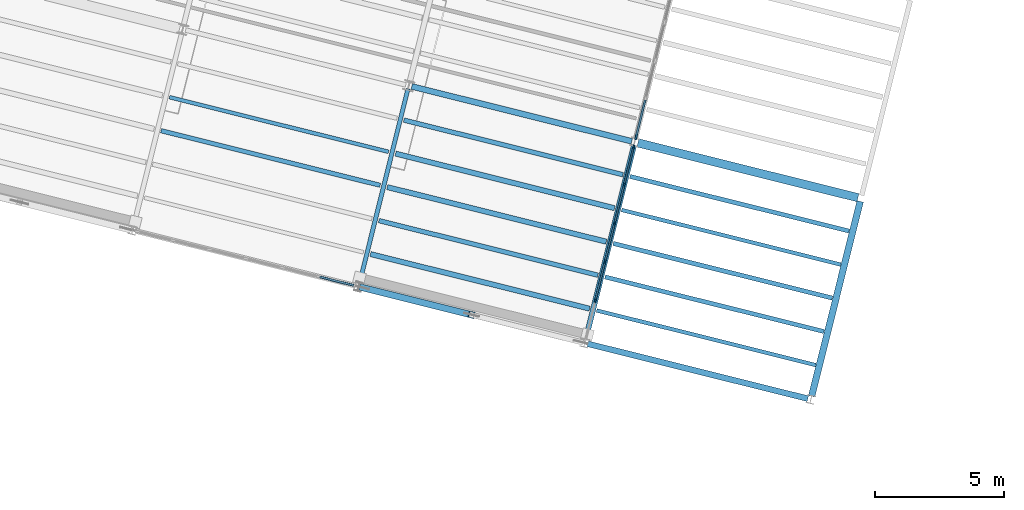
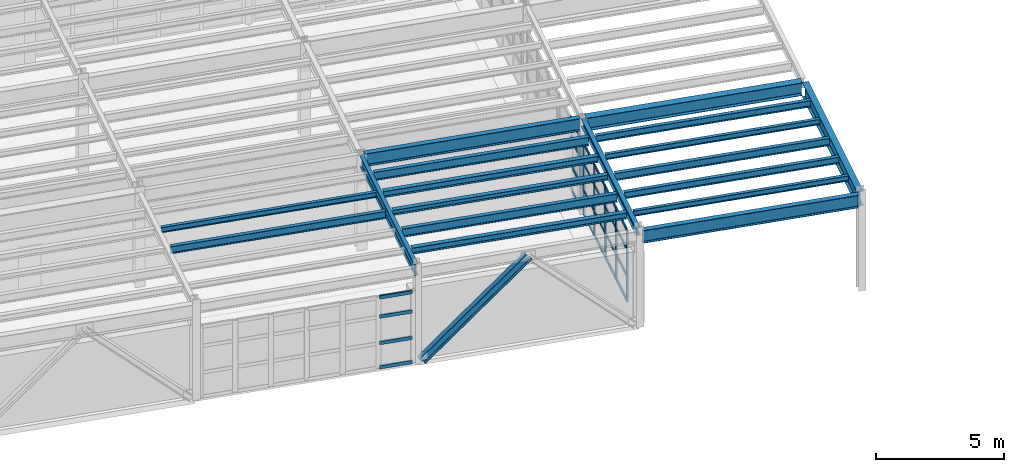
# One storey, part 29 of 102: 31 members, 18 beams, 3 elements without a shape of their own.
"""IFC4 building model written with IfcOpenShell, lengths in metres."""

from ifc_helpers import new_model, si_unit, direction, frame, origin, origin_2d, place, context, subcontext, project, spatial, rectangle, i_section, extrude, material, layer, layer_set, material_profile, profile_set, type_object, element, aggregate, save


model = new_model("IFC4")

# Units and contexts
model_context = context("Model", 3, precision=1e-05, world=origin(), true_north=direction((0.0, 1.0)))
body_context = subcontext(model_context, "Body", "Model", "MODEL_VIEW")
ifc_project = project(units=[si_unit("LENGTHUNIT", "METRE"), si_unit("AREAUNIT", "SQUARE_METRE"), si_unit("VOLUMEUNIT", "CUBIC_METRE"), si_unit("PLANEANGLEUNIT", "RADIAN"), si_unit("MASSUNIT", "GRAM", prefix="KILO")], contexts=[model_context])

# Site, building, storey
site_placement = place(None, origin())
site = spatial("IfcSite", under=ifc_project, at=site_placement, CompositionType="ELEMENT")
building_placement = place(site_placement, origin())
building = spatial("IfcBuilding", under=site, at=building_placement, Name="Vireo Bluff Cable Station", CompositionType="ELEMENT")
storey_placement = place(building_placement, frame((0.0, 0.0, 9.60009765625)))
storey = spatial("IfcBuildingStorey", under=building, at=storey_placement, Name="L02", CompositionType="ELEMENT", Elevation=9.60009765625)

# Beams
ifc_material_1 = material(Name="Steel ASTM A992 Gr. 50", Category="steel")
ifc_material_profile_1 = material_profile(ifc_material_1, i_section(OverallWidth=0.2041015625, OverallDepth=0.35009765625, WebThickness=0.008544921875, FlangeThickness=0.01513671875, FilletRadius=0.010009765625, at=origin_2d()), Name="W14X48")
ifc_profile_set_1 = profile_set([ifc_material_profile_1], Name="Steel ASTM A992 Gr. 50")
beam_type_1 = type_object("IfcBeamType", Name="BM-W14X48", PredefinedType="BEAM", material=ifc_profile_set_1)
beam_1_placement = place(storey_placement, frame((97.6923828125, 27.22998046875, 4.364990234375), z_axis=(0.241906346953, 0.970299602857, 0.0), x_axis=(-0.970299602857, 0.241906346953, 0.0)))
element("IfcBeam", 1, at=beam_1_placement, inside=storey, type_object=beam_type_1, Name="V1 L02 beam 184", PredefinedType="BEAM", context=body_context, shape_type="SweptSolid", body=[
    extrude(i_section(OverallWidth=0.2041015625, OverallDepth=0.35009765625, WebThickness=0.008544921875, FlangeThickness=0.01513671875, FilletRadius=0.010009765625, at=origin_2d()), origin(), (0.0, 0.0, 1.0), 7.760009765625),
])
ifc_material_profile_2 = material_profile(ifc_material_1, i_section(OverallWidth=0.166015625, OverallDepth=0.528076171875, WebThickness=0.009765625, FlangeThickness=0.013671875, FilletRadius=0.012939453125, at=origin_2d()), Name="W21X50")
ifc_profile_set_2 = profile_set([ifc_material_profile_2], Name="Steel ASTM A992 Gr. 50")
beam_type_2 = type_object("IfcBeamType", Name="BM-W21X50", PredefinedType="BEAM", material=ifc_profile_set_2)
beam_2_placement = place(storey_placement, frame((88.959716796875, 29.4072265625, 4.27587890625), z_axis=(0.241906346953, 0.970299602857, 0.0), x_axis=(-0.970299602857, 0.241906346953, 0.0)))
element("IfcBeam", 2, at=beam_2_placement, inside=storey, type_object=beam_type_2, Name="V1 L02 beam 181", PredefinedType="BEAM", context=body_context, shape_type="SweptSolid", body=[
    extrude(i_section(OverallWidth=0.166015625, OverallDepth=0.528076171875, WebThickness=0.009765625, FlangeThickness=0.013671875, FilletRadius=0.012939453125, at=origin_2d()), origin(), (0.0, 0.0, 1.0), 7.760009765625),
])

# Member
ifc_material_profile_3 = material_profile(ifc_material_1, i_section(OverallWidth=0.25390625, OverallDepth=0.35302734375, WebThickness=0.009521484375, FlangeThickness=0.016357421875, FilletRadius=0.011962890625, at=origin_2d()), Name="W14X61")
ifc_profile_set_3 = profile_set([ifc_material_profile_3], Name="Steel ASTM A992 Gr. 50")
member_type_1 = type_object("IfcMemberType", Name="BRC-06", PredefinedType="BRACE", material=ifc_profile_set_3)
member_1_placement = place(storey_placement, frame((89.0859375, 29.252197265625, 0.039794921875), z_axis=(0.702063519762, -0.175068135349, 0.690259344163), x_axis=(0.241953175614, 0.970287926757, 0.0)))
element("IfcMember", 3, at=member_1_placement, inside=storey, type_object=member_type_1, Name="V1 L02 concentric brace 11L", PredefinedType="BRACE", context=body_context, shape_type="SweptSolid", body=[
    extrude(i_section(OverallWidth=0.25390625, OverallDepth=0.35302734375, WebThickness=0.009521484375, FlangeThickness=0.016357421875, FilletRadius=0.011962890625, at=origin_2d()), origin(), (0.0, 0.0, 1.0), 5.998046875),
])

# Curtain wall, member
ifc_material_2 = material(Name="Anodized Aluminium 6063-T6", Category="aluminium")
ifc_layer_1 = layer(ifc_material_2, 0.179931640625, Name="Anodized Aluminium 6063-T6")
ifc_layer_set_1 = layer_set([ifc_layer_1], Name="Anodized Aluminium 6063-T6")
curtain_wall_type_1 = type_object("IfcCurtainWallType", Name="CW-UNIT-1650", PredefinedType="USERDEFINED", material=ifc_layer_set_1)
curtain_wall_1_placement = place(storey_placement, origin())
curtain_wall_1 = element("IfcCurtainWall", 4, at=curtain_wall_1_placement, inside=storey, type_object=curtain_wall_type_1, Name="V1 L02 east curtain wall CW-017", ObjectType="UNITISED CURTAIN WALL", PredefinedType="USERDEFINED")
ifc_material_profile_4 = material_profile(ifc_material_2, rectangle(XDim=0.074951171875, YDim=0.2099609375, at=origin_2d()), Name="ALU-M-75X210")
ifc_profile_set_4 = profile_set([ifc_material_profile_4], Name="Anodized Aluminium 6063-T6")
member_type_2 = type_object("IfcMemberType", Name="CWM-02", PredefinedType="MULLION", material=ifc_profile_set_4)
member_2_placement = place(storey_placement, frame((99.6484375, 35.07568359375, 0.0), z_axis=(0.0, 0.0, 1.0), x_axis=(0.970295732031, -0.241921872517, 0.0)))
member_2 = element("IfcMember", 5, at=member_2_placement, type_object=member_type_2, Name="CW-017 mullion 6", PredefinedType="MULLION", context=body_context, shape_type="SweptSolid", body=[
    extrude(rectangle(XDim=0.074951171875, YDim=0.2099609375, at=origin_2d()), origin(), (0.0, 0.0, 1.0), 3.39990234375),
])

# Curtain wall, members
ifc_layer_2 = layer(ifc_material_2, 0.179931640625, Name="Anodized Aluminium 6063-T6")
ifc_layer_set_2 = layer_set([ifc_layer_2], Name="Anodized Aluminium 6063-T6")
curtain_wall_type_2 = type_object("IfcCurtainWallType", Name="CW-UNIT-1400", PredefinedType="USERDEFINED", material=ifc_layer_set_2)
curtain_wall_2_placement = place(storey_placement, origin())
curtain_wall_2 = element("IfcCurtainWall", 6, at=curtain_wall_2_placement, inside=storey, type_object=curtain_wall_type_2, Name="V1 L02 east curtain wall CW-018", ObjectType="UNITISED CURTAIN WALL", PredefinedType="USERDEFINED")
ifc_material_profile_5 = material_profile(ifc_material_2, rectangle(XDim=0.06005859375, YDim=0.159912109375, at=origin_2d()), Name="ALU-M-60X160")
ifc_profile_set_5 = profile_set([ifc_material_profile_5], Name="Anodized Aluminium 6063-T6")
member_type_3 = type_object("IfcMemberType", Name="CWM-03", PredefinedType="MULLION", material=ifc_profile_set_5)
member_3_placement = place(storey_placement, frame((99.55078125, 34.683349609375, 0.0), z_axis=(0.0, 0.0, 1.0), x_axis=(0.970295732031, -0.241921872517, 0.0)))
member_3 = element("IfcMember", 7, at=member_3_placement, type_object=member_type_3, Name="CW-018 mullion 1", PredefinedType="MULLION", context=body_context, shape_type="SweptSolid", body=[
    extrude(rectangle(XDim=0.06005859375, YDim=0.159912109375, at=origin_2d()), origin(), (0.0, 0.0, 1.0), 3.39990234375),
])
member_4_placement = place(storey_placement, frame((99.18701171875, 33.224365234375, 0.0), z_axis=(0.0, 0.0, 1.0), x_axis=(0.970295732031, -0.241921872517, 0.0)))
member_4 = element("IfcMember", 8, at=member_4_placement, type_object=member_type_3, Name="CW-018 mullion 2", PredefinedType="MULLION", context=body_context, shape_type="SweptSolid", body=[
    extrude(rectangle(XDim=0.06005859375, YDim=0.159912109375, at=origin_2d()), origin(), (0.0, 0.0, 1.0), 3.39990234375),
])
member_5_placement = place(storey_placement, frame((98.81591796875, 31.736328125, 0.0), z_axis=(0.0, 0.0, 1.0), x_axis=(0.970295732031, -0.241921872517, 0.0)))
member_5 = element("IfcMember", 9, at=member_5_placement, type_object=member_type_3, Name="CW-018 mullion 3", PredefinedType="MULLION", context=body_context, shape_type="SweptSolid", body=[
    extrude(rectangle(XDim=0.06005859375, YDim=0.159912109375, at=origin_2d()), origin(), (0.0, 0.0, 1.0), 3.39990234375),
])
member_6_placement = place(storey_placement, frame((98.44482421875, 30.248291015625, 0.0), z_axis=(0.0, 0.0, 1.0), x_axis=(0.970295732031, -0.241921872517, 0.0)))
member_6 = element("IfcMember", 10, at=member_6_placement, type_object=member_type_3, Name="CW-018 mullion 4", PredefinedType="MULLION", context=body_context, shape_type="SweptSolid", body=[
    extrude(rectangle(XDim=0.06005859375, YDim=0.159912109375, at=origin_2d()), origin(), (0.0, 0.0, 1.0), 3.39990234375),
])
member_7_placement = place(storey_placement, frame((98.073974609375, 28.76025390625, 0.0), z_axis=(0.0, 0.0, 1.0), x_axis=(0.970295732031, -0.241921872517, 0.0)))
member_7 = element("IfcMember", 11, at=member_7_placement, type_object=member_type_3, Name="CW-018 mullion 5", PredefinedType="MULLION", context=body_context, shape_type="SweptSolid", body=[
    extrude(rectangle(XDim=0.06005859375, YDim=0.159912109375, at=origin_2d()), origin(), (0.0, 0.0, 1.0), 3.39990234375),
])

curtain_wall_3_placement = place(storey_placement, origin())
curtain_wall_3 = element("IfcCurtainWall", 12, at=curtain_wall_3_placement, inside=storey, type_object=curtain_wall_type_2, Name="V1 L02 south curtain wall CW-009", ObjectType="UNITISED CURTAIN WALL", PredefinedType="USERDEFINED")
ifc_material_profile_6 = material_profile(ifc_material_2, rectangle(XDim=0.074951171875, YDim=0.159912109375, at=origin_2d()), Name="ALU-T-75X160")
ifc_profile_set_6 = profile_set([ifc_material_profile_6], Name="Anodized Aluminium 6063-T6")
member_type_4 = type_object("IfcMemberType", Name="CWT-02", PredefinedType="USERDEFINED", material=ifc_profile_set_6)
member_8_placement = place(storey_placement, frame((88.732666015625, 29.340087890625, 0.037353515625), z_axis=(-0.97028167903, 0.241978229061, 0.0), x_axis=(-0.241978229061, -0.97028167903, 0.0)))
member_8 = element("IfcMember", 13, at=member_8_placement, type_object=member_type_4, Name="CW-009 transom 1.1", ObjectType="TRANSOM", PredefinedType="USERDEFINED", context=body_context, shape_type="SweptSolid", body=[
    extrude(rectangle(XDim=0.074951171875, YDim=0.159912109375, at=origin_2d()), origin(), (0.0, 0.0, 1.0), 1.33984375),
])
member_9_placement = place(storey_placement, frame((88.732666015625, 29.340087890625, 1.18994140625), z_axis=(-0.97028167903, 0.241978229061, 0.0), x_axis=(-0.241978229061, -0.97028167903, 0.0)))
member_9 = element("IfcMember", 14, at=member_9_placement, type_object=member_type_4, Name="CW-009 transom 1.2", ObjectType="TRANSOM", PredefinedType="USERDEFINED", context=body_context, shape_type="SweptSolid", body=[
    extrude(rectangle(XDim=0.074951171875, YDim=0.159912109375, at=origin_2d()), origin(), (0.0, 0.0, 1.0), 1.33984375),
])
member_10_placement = place(storey_placement, frame((88.732666015625, 29.340087890625, 2.447998046875), z_axis=(-0.97028167903, 0.241978229061, 0.0), x_axis=(-0.241978229061, -0.97028167903, 0.0)))
member_10 = element("IfcMember", 15, at=member_10_placement, type_object=member_type_4, Name="CW-009 transom 1.3", ObjectType="TRANSOM", PredefinedType="USERDEFINED", context=body_context, shape_type="SweptSolid", body=[
    extrude(rectangle(XDim=0.074951171875, YDim=0.159912109375, at=origin_2d()), origin(), (0.0, 0.0, 1.0), 1.33984375),
])
member_11_placement = place(storey_placement, frame((88.732666015625, 29.340087890625, 3.3623046875), z_axis=(-0.97028167903, 0.241978229061, 0.0), x_axis=(-0.241978229061, -0.97028167903, 0.0)))
member_11 = element("IfcMember", 16, at=member_11_placement, type_object=member_type_4, Name="CW-009 transom 1.4", ObjectType="TRANSOM", PredefinedType="USERDEFINED", context=body_context, shape_type="SweptSolid", body=[
    extrude(rectangle(XDim=0.074951171875, YDim=0.159912109375, at=origin_2d()), origin(), (0.0, 0.0, 1.0), 1.33984375),
])
aggregate(curtain_wall_3, [member_8, member_9, member_10, member_11])

# Member
member_12_placement = place(storey_placement, frame((100.00146484375, 36.490966796875, 0.037353515625), z_axis=(-0.242050543743, -0.970263641632, 0.0), x_axis=(0.970263641632, -0.242050543743, 0.0)))
member_12 = element("IfcMember", 17, at=member_12_placement, type_object=member_type_4, Name="CW-017 transom 5.1", ObjectType="TRANSOM", PredefinedType="USERDEFINED", context=body_context, shape_type="SweptSolid", body=[
    extrude(rectangle(XDim=0.074951171875, YDim=0.159912109375, at=origin_2d()), origin(), (0.0, 0.0, 1.0), 1.421142578125),
])

member_13_placement = place(storey_placement, frame((100.00146484375, 36.490966796875, 1.18994140625), z_axis=(-0.242050543743, -0.970263641632, 0.0), x_axis=(0.970263641632, -0.242050543743, 0.0)))
member_13 = element("IfcMember", 18, at=member_13_placement, type_object=member_type_4, Name="CW-017 transom 5.2", ObjectType="TRANSOM", PredefinedType="USERDEFINED", context=body_context, shape_type="SweptSolid", body=[
    extrude(rectangle(XDim=0.074951171875, YDim=0.159912109375, at=origin_2d()), origin(), (0.0, 0.0, 1.0), 1.421142578125),
])

member_14_placement = place(storey_placement, frame((100.00146484375, 36.490966796875, 2.447998046875), z_axis=(-0.242050543743, -0.970263641632, 0.0), x_axis=(0.970263641632, -0.242050543743, 0.0)))
member_14 = element("IfcMember", 19, at=member_14_placement, type_object=member_type_4, Name="CW-017 transom 5.3", ObjectType="TRANSOM", PredefinedType="USERDEFINED", context=body_context, shape_type="SweptSolid", body=[
    extrude(rectangle(XDim=0.074951171875, YDim=0.159912109375, at=origin_2d()), origin(), (0.0, 0.0, 1.0), 1.421142578125),
])

member_15_placement = place(storey_placement, frame((100.00146484375, 36.490966796875, 3.3623046875), z_axis=(-0.242050543743, -0.970263641632, 0.0), x_axis=(0.970263641632, -0.242050543743, 0.0)))
member_15 = element("IfcMember", 20, at=member_15_placement, type_object=member_type_4, Name="CW-017 transom 5.4", ObjectType="TRANSOM", PredefinedType="USERDEFINED", context=body_context, shape_type="SweptSolid", body=[
    extrude(rectangle(XDim=0.074951171875, YDim=0.159912109375, at=origin_2d()), origin(), (0.0, 0.0, 1.0), 1.421142578125),
])

aggregate(curtain_wall_1, [member_2, member_12, member_13, member_14, member_15])

ifc_material_profile_7 = material_profile(ifc_material_2, rectangle(XDim=0.06005859375, YDim=0.1201171875, at=origin_2d()), Name="ALU-T-60X120")
ifc_profile_set_7 = profile_set([ifc_material_profile_7], Name="Anodized Aluminium 6063-T6")
member_type_5 = type_object("IfcMemberType", Name="CWT-03", PredefinedType="USERDEFINED", material=ifc_profile_set_7)
member_16_placement = place(storey_placement, frame((99.54345703125, 34.654052734375, 0.02978515625), z_axis=(-0.242018266188, -0.970271693306, 0.0), x_axis=(0.970271693306, -0.242018266188, 0.0)))
member_16 = element("IfcMember", 21, at=member_16_placement, type_object=member_type_5, Name="CW-018 transom 1.1", ObjectType="TRANSOM", PredefinedType="USERDEFINED", context=body_context, shape_type="SweptSolid", body=[
    extrude(rectangle(XDim=0.06005859375, YDim=0.1201171875, at=origin_2d()), origin(), (0.0, 0.0, 1.0), 1.443603515625),
])

member_17_placement = place(storey_placement, frame((99.54345703125, 34.654052734375, 1.18994140625), z_axis=(-0.242018266188, -0.970271693306, 0.0), x_axis=(0.970271693306, -0.242018266188, 0.0)))
member_17 = element("IfcMember", 22, at=member_17_placement, type_object=member_type_5, Name="CW-018 transom 1.2", ObjectType="TRANSOM", PredefinedType="USERDEFINED", context=body_context, shape_type="SweptSolid", body=[
    extrude(rectangle(XDim=0.06005859375, YDim=0.1201171875, at=origin_2d()), origin(), (0.0, 0.0, 1.0), 1.443603515625),
])

member_18_placement = place(storey_placement, frame((99.54345703125, 34.654052734375, 2.447998046875), z_axis=(-0.242018266188, -0.970271693306, 0.0), x_axis=(0.970271693306, -0.242018266188, 0.0)))
member_18 = element("IfcMember", 23, at=member_18_placement, type_object=member_type_5, Name="CW-018 transom 1.3", ObjectType="TRANSOM", PredefinedType="USERDEFINED", context=body_context, shape_type="SweptSolid", body=[
    extrude(rectangle(XDim=0.06005859375, YDim=0.1201171875, at=origin_2d()), origin(), (0.0, 0.0, 1.0), 1.443603515625),
])

member_19_placement = place(storey_placement, frame((99.54345703125, 34.654052734375, 3.369873046875), z_axis=(-0.242018266188, -0.970271693306, 0.0), x_axis=(0.970271693306, -0.242018266188, 0.0)))
member_19 = element("IfcMember", 24, at=member_19_placement, type_object=member_type_5, Name="CW-018 transom 1.4", ObjectType="TRANSOM", PredefinedType="USERDEFINED", context=body_context, shape_type="SweptSolid", body=[
    extrude(rectangle(XDim=0.06005859375, YDim=0.1201171875, at=origin_2d()), origin(), (0.0, 0.0, 1.0), 1.443603515625),
])

member_20_placement = place(storey_placement, frame((99.1796875, 33.1953125, 0.02978515625), z_axis=(-0.241872902969, -0.970307940197, 0.0), x_axis=(0.970307940197, -0.241872902969, 0.0)))
member_20 = element("IfcMember", 25, at=member_20_placement, type_object=member_type_5, Name="CW-018 transom 2.1", ObjectType="TRANSOM", PredefinedType="USERDEFINED", context=body_context, shape_type="SweptSolid", body=[
    extrude(rectangle(XDim=0.06005859375, YDim=0.1201171875, at=origin_2d()), origin(), (0.0, 0.0, 1.0), 1.4736328125),
])

member_21_placement = place(storey_placement, frame((99.1796875, 33.1953125, 1.18994140625), z_axis=(-0.241872902969, -0.970307940197, 0.0), x_axis=(0.970307940197, -0.241872902969, 0.0)))
member_21 = element("IfcMember", 26, at=member_21_placement, type_object=member_type_5, Name="CW-018 transom 2.2", ObjectType="TRANSOM", PredefinedType="USERDEFINED", context=body_context, shape_type="SweptSolid", body=[
    extrude(rectangle(XDim=0.06005859375, YDim=0.1201171875, at=origin_2d()), origin(), (0.0, 0.0, 1.0), 1.4736328125),
])

member_22_placement = place(storey_placement, frame((99.1796875, 33.1953125, 2.447998046875), z_axis=(-0.241872902969, -0.970307940197, 0.0), x_axis=(0.970307940197, -0.241872902969, 0.0)))
member_22 = element("IfcMember", 27, at=member_22_placement, type_object=member_type_5, Name="CW-018 transom 2.3", ObjectType="TRANSOM", PredefinedType="USERDEFINED", context=body_context, shape_type="SweptSolid", body=[
    extrude(rectangle(XDim=0.06005859375, YDim=0.1201171875, at=origin_2d()), origin(), (0.0, 0.0, 1.0), 1.4736328125),
])

member_23_placement = place(storey_placement, frame((99.1796875, 33.1953125, 3.369873046875), z_axis=(-0.241872902969, -0.970307940197, 0.0), x_axis=(0.970307940197, -0.241872902969, 0.0)))
member_23 = element("IfcMember", 28, at=member_23_placement, type_object=member_type_5, Name="CW-018 transom 2.4", ObjectType="TRANSOM", PredefinedType="USERDEFINED", context=body_context, shape_type="SweptSolid", body=[
    extrude(rectangle(XDim=0.06005859375, YDim=0.1201171875, at=origin_2d()), origin(), (0.0, 0.0, 1.0), 1.4736328125),
])

member_24_placement = place(storey_placement, frame((98.80859375, 31.707275390625, 0.02978515625), z_axis=(-0.241872902969, -0.970307940197, 0.0), x_axis=(0.970307940197, -0.241872902969, 0.0)))
member_24 = element("IfcMember", 29, at=member_24_placement, type_object=member_type_5, Name="CW-018 transom 3.1", ObjectType="TRANSOM", PredefinedType="USERDEFINED", context=body_context, shape_type="SweptSolid", body=[
    extrude(rectangle(XDim=0.06005859375, YDim=0.1201171875, at=origin_2d()), origin(), (0.0, 0.0, 1.0), 1.4736328125),
])

member_25_placement = place(storey_placement, frame((98.80859375, 31.707275390625, 1.18994140625), z_axis=(-0.241872902969, -0.970307940197, 0.0), x_axis=(0.970307940197, -0.241872902969, 0.0)))
member_25 = element("IfcMember", 30, at=member_25_placement, type_object=member_type_5, Name="CW-018 transom 3.2", ObjectType="TRANSOM", PredefinedType="USERDEFINED", context=body_context, shape_type="SweptSolid", body=[
    extrude(rectangle(XDim=0.06005859375, YDim=0.1201171875, at=origin_2d()), origin(), (0.0, 0.0, 1.0), 1.4736328125),
])

member_26_placement = place(storey_placement, frame((98.80859375, 31.707275390625, 2.447998046875), z_axis=(-0.241872902969, -0.970307940197, 0.0), x_axis=(0.970307940197, -0.241872902969, 0.0)))
member_26 = element("IfcMember", 31, at=member_26_placement, type_object=member_type_5, Name="CW-018 transom 3.3", ObjectType="TRANSOM", PredefinedType="USERDEFINED", context=body_context, shape_type="SweptSolid", body=[
    extrude(rectangle(XDim=0.06005859375, YDim=0.1201171875, at=origin_2d()), origin(), (0.0, 0.0, 1.0), 1.4736328125),
])

member_27_placement = place(storey_placement, frame((98.80859375, 31.707275390625, 3.369873046875), z_axis=(-0.241872902969, -0.970307940197, 0.0), x_axis=(0.970307940197, -0.241872902969, 0.0)))
member_27 = element("IfcMember", 32, at=member_27_placement, type_object=member_type_5, Name="CW-018 transom 3.4", ObjectType="TRANSOM", PredefinedType="USERDEFINED", context=body_context, shape_type="SweptSolid", body=[
    extrude(rectangle(XDim=0.06005859375, YDim=0.1201171875, at=origin_2d()), origin(), (0.0, 0.0, 1.0), 1.4736328125),
])

member_28_placement = place(storey_placement, frame((98.437744140625, 30.21923828125, 0.02978515625), z_axis=(-0.242028868067, -0.970269048781, 0.0), x_axis=(0.970269048781, -0.242028868067, 0.0)))
member_28 = element("IfcMember", 33, at=member_28_placement, type_object=member_type_5, Name="CW-018 transom 4.1", ObjectType="TRANSOM", PredefinedType="USERDEFINED", context=body_context, shape_type="SweptSolid", body=[
    extrude(rectangle(XDim=0.06005859375, YDim=0.1201171875, at=origin_2d()), origin(), (0.0, 0.0, 1.0), 1.4736328125),
])

member_29_placement = place(storey_placement, frame((98.437744140625, 30.21923828125, 1.18994140625), z_axis=(-0.242028868067, -0.970269048781, 0.0), x_axis=(0.970269048781, -0.242028868067, 0.0)))
member_29 = element("IfcMember", 34, at=member_29_placement, type_object=member_type_5, Name="CW-018 transom 4.2", ObjectType="TRANSOM", PredefinedType="USERDEFINED", context=body_context, shape_type="SweptSolid", body=[
    extrude(rectangle(XDim=0.06005859375, YDim=0.1201171875, at=origin_2d()), origin(), (0.0, 0.0, 1.0), 1.4736328125),
])

member_30_placement = place(storey_placement, frame((98.437744140625, 30.21923828125, 2.447998046875), z_axis=(-0.242028868067, -0.970269048781, 0.0), x_axis=(0.970269048781, -0.242028868067, 0.0)))
member_30 = element("IfcMember", 35, at=member_30_placement, type_object=member_type_5, Name="CW-018 transom 4.3", ObjectType="TRANSOM", PredefinedType="USERDEFINED", context=body_context, shape_type="SweptSolid", body=[
    extrude(rectangle(XDim=0.06005859375, YDim=0.1201171875, at=origin_2d()), origin(), (0.0, 0.0, 1.0), 1.4736328125),
])

member_31_placement = place(storey_placement, frame((98.437744140625, 30.21923828125, 3.369873046875), z_axis=(-0.242028868067, -0.970269048781, 0.0), x_axis=(0.970269048781, -0.242028868067, 0.0)))
member_31 = element("IfcMember", 36, at=member_31_placement, type_object=member_type_5, Name="CW-018 transom 4.4", ObjectType="TRANSOM", PredefinedType="USERDEFINED", context=body_context, shape_type="SweptSolid", body=[
    extrude(rectangle(XDim=0.06005859375, YDim=0.1201171875, at=origin_2d()), origin(), (0.0, 0.0, 1.0), 1.4736328125),
])

aggregate(curtain_wall_2, [member_3, member_4, member_5, member_6, member_7, member_16, member_17, member_18, member_19, member_20, member_21, member_22, member_23, member_24, member_25, member_26, member_27, member_28, member_29, member_30, member_31])

# Beams
ifc_material_profile_8 = material_profile(ifc_material_1, i_section(OverallWidth=0.324951171875, OverallDepth=0.612060546875, WebThickness=0.0126953125, FlangeThickness=0.01904296875, FilletRadius=0.012939453125, at=origin_2d()), Name="W24X104")
ifc_profile_set_8 = profile_set([ifc_material_profile_8], Name="Steel ASTM A992 Gr. 50")
beam_type_3 = type_object("IfcBeamType", Name="GIR-W24X104", PredefinedType="USERDEFINED", material=ifc_profile_set_8)
beam_3_placement = place(storey_placement, frame((99.715087890625, 34.846923828125, 4.23388671875), z_axis=(0.970291502693, -0.241938834838, 0.0), x_axis=(0.241938834838, 0.970291502693, 0.0)))
element("IfcBeam", 37, at=beam_3_placement, inside=storey, type_object=beam_type_3, Name="V1 L02 girder 156", ObjectType="GIRDER", PredefinedType="USERDEFINED", context=body_context, shape_type="SweptSolid", body=[
    extrude(i_section(OverallWidth=0.324951171875, OverallDepth=0.612060546875, WebThickness=0.0126953125, FlangeThickness=0.01904296875, FilletRadius=0.012939453125, at=origin_2d()), origin(), (0.0, 0.0, 1.0), 8.760009765625),
])
ifc_material_profile_9 = material_profile(ifc_material_1, i_section(OverallWidth=0.22802734375, OverallDepth=0.60693359375, WebThickness=0.01123046875, FlangeThickness=0.017333984375, FilletRadius=0.012939453125, at=origin_2d()), Name="W24X76")
ifc_profile_set_9 = profile_set([ifc_material_profile_9], Name="Steel ASTM A992 Gr. 50")
beam_type_4 = type_object("IfcBeamType", Name="GIR-W24X76", PredefinedType="USERDEFINED", material=ifc_profile_set_9)
beam_4_placement = place(storey_placement, frame((90.982421875, 37.024169921875, 4.236328125), z_axis=(0.970298044881, -0.241912595995, 0.0), x_axis=(0.241912595995, 0.970298044881, 0.0)))
element("IfcBeam", 38, at=beam_4_placement, inside=storey, type_object=beam_type_4, Name="V1 L02 girder 155", ObjectType="GIRDER", PredefinedType="USERDEFINED", context=body_context, shape_type="SweptSolid", body=[
    extrude(i_section(OverallWidth=0.22802734375, OverallDepth=0.60693359375, WebThickness=0.01123046875, FlangeThickness=0.017333984375, FilletRadius=0.012939453125, at=origin_2d()), origin(), (0.0, 0.0, 1.0), 8.760009765625),
])
ifc_material_profile_10 = material_profile(ifc_material_1, i_section(OverallWidth=0.14599609375, OverallDepth=0.259033203125, WebThickness=0.006103515625, FlangeThickness=0.009033203125, FilletRadius=0.009033203125, at=origin_2d()), Name="W10X22")
ifc_profile_set_10 = profile_set([ifc_material_profile_10], Name="Steel ASTM A992 Gr. 50")
beam_type_5 = type_object("IfcBeamType", Name="JST-W10X22", PredefinedType="JOIST", material=ifc_profile_set_10)
for number, where, z_axis, x_axis, name in (
    (39, (81.6240234375, 36.609130859375, 4.410400390625), (0.970293828661, -0.24192950639, 0.0), (0.24192950639, 0.970293828661, 0.0), "V1 L02 composite joist 230"),
    (40, (98.121826171875, 28.373291015625, 4.410400390625), (0.970300400641, -0.241903146974, 0.0), (0.241903146974, 0.970300400641, 0.0), "V1 L02 composite joist 257"),
    (41, (99.08935546875, 32.254638671875, 4.410400390625), (0.970293828661, -0.24192950639, 0.0), (0.24192950639, 0.970293828661, 0.0), "V1 L02 composite joist 260"),
):
    element("IfcBeam", number, at=place(storey_placement, frame(where, z_axis=z_axis, x_axis=x_axis)), inside=storey, type_object=beam_type_5, Name=name, PredefinedType="JOIST", context=body_context, shape_type="SweptSolid", body=[
        extrude(i_section(OverallWidth=0.14599609375, OverallDepth=0.259033203125, WebThickness=0.006103515625, FlangeThickness=0.009033203125, FilletRadius=0.009033203125, at=origin_2d()), origin(), (0.0, 0.0, 1.0), 8.719970703125),
    ])
ifc_material_profile_11 = material_profile(ifc_material_1, i_section(OverallWidth=0.201904296875, OverallDepth=0.2470703125, WebThickness=0.00732421875, FlangeThickness=0.010986328125, FilletRadius=0.009033203125, at=origin_2d()), Name="W10X33")
ifc_profile_set_11 = profile_set([ifc_material_profile_11], Name="Steel ASTM A992 Gr. 50")
beam_type_6 = type_object("IfcBeamType", Name="JST-W10X33", PredefinedType="JOIST", material=ifc_profile_set_11)
beam_5_placement = place(storey_placement, frame((90.0341796875, 33.13818359375, 4.41650390625), z_axis=(0.970293828661, -0.24192950639, 0.0), x_axis=(0.24192950639, 0.970293828661, 0.0)))
element("IfcBeam", 42, at=beam_5_placement, inside=storey, type_object=beam_type_6, Name="V1 L02 composite joist 244", PredefinedType="JOIST", context=body_context, shape_type="SweptSolid", body=[
    extrude(i_section(OverallWidth=0.201904296875, OverallDepth=0.2470703125, WebThickness=0.00732421875, FlangeThickness=0.010986328125, FilletRadius=0.009033203125, at=origin_2d()), origin(), (0.0, 0.0, 1.0), 8.719970703125),
])
ifc_material_profile_12 = material_profile(ifc_material_1, i_section(OverallWidth=0.1650390625, OverallDepth=0.31005859375, WebThickness=0.005859375, FlangeThickness=0.009765625, FilletRadius=0.010009765625, at=origin_2d()), Name="W12X26")
ifc_profile_set_12 = profile_set([ifc_material_profile_12], Name="Steel ASTM A992 Gr. 50")
beam_type_7 = type_object("IfcBeamType", Name="JST-W12X26", PredefinedType="JOIST", material=ifc_profile_set_12)
beam_6_placement = place(storey_placement, frame((98.4443359375, 29.6669921875, 4.385009765625), z_axis=(0.970300400641, -0.241903146974, 0.0), x_axis=(0.241903146974, 0.970300400641, 0.0)))
element("IfcBeam", 43, at=beam_6_placement, inside=storey, type_object=beam_type_7, Name="V1 L02 composite joist 258", PredefinedType="JOIST", context=body_context, shape_type="SweptSolid", body=[
    extrude(i_section(OverallWidth=0.1650390625, OverallDepth=0.31005859375, WebThickness=0.005859375, FlangeThickness=0.009765625, FilletRadius=0.010009765625, at=origin_2d()), origin(), (0.0, 0.0, 1.0), 8.719970703125),
])
beam_7_placement = place(storey_placement, frame((99.411865234375, 33.54833984375, 4.385009765625), z_axis=(0.970295467306, -0.24192293427, 0.0), x_axis=(0.24192293427, 0.970295467306, 0.0)))
element("IfcBeam", 44, at=beam_7_placement, inside=storey, type_object=beam_type_7, Name="V1 L02 composite joist 261", PredefinedType="JOIST", context=body_context, shape_type="SweptSolid", body=[
    extrude(i_section(OverallWidth=0.1650390625, OverallDepth=0.31005859375, WebThickness=0.005859375, FlangeThickness=0.009765625, FilletRadius=0.010009765625, at=origin_2d()), origin(), (0.0, 0.0, 1.0), 8.72021484375),
])
ifc_material_profile_13 = material_profile(ifc_material_1, i_section(OverallWidth=0.202880859375, OverallDepth=0.302978515625, WebThickness=0.007568359375, FlangeThickness=0.01318359375, FilletRadius=0.010009765625, at=origin_2d()), Name="W12X40")
ifc_profile_set_13 = profile_set([ifc_material_profile_13], Name="Steel ASTM A992 Gr. 50")
beam_type_8 = type_object("IfcBeamType", Name="JST-W12X40", PredefinedType="JOIST", material=ifc_profile_set_13)
for number, where, z_axis, x_axis, name in (
    (45, (89.38916015625, 30.55078125, 4.388427734375), (0.970293828661, -0.24192950639, 0.0), (0.24192950639, 0.970293828661, 0.0), "V1 L02 composite joist 242"),
    (46, (90.356689453125, 34.431884765625, 4.388427734375), (0.970293828661, -0.24192950639, 0.0), (0.24192950639, 0.970293828661, 0.0), "V1 L02 composite joist 245"),
):
    element("IfcBeam", number, at=place(storey_placement, frame(where, z_axis=z_axis, x_axis=x_axis)), inside=storey, type_object=beam_type_8, Name=name, PredefinedType="JOIST", context=body_context, shape_type="SweptSolid", body=[
        extrude(i_section(OverallWidth=0.202880859375, OverallDepth=0.302978515625, WebThickness=0.007568359375, FlangeThickness=0.01318359375, FilletRadius=0.010009765625, at=origin_2d()), origin(), (0.0, 0.0, 1.0), 8.719970703125),
    ])
ifc_material_profile_14 = material_profile(ifc_material_1, i_section(OverallWidth=0.1708984375, OverallDepth=0.35107421875, WebThickness=0.0068359375, FlangeThickness=0.009765625, FilletRadius=0.010009765625, at=origin_2d()), Name="W14X30")
ifc_profile_set_14 = profile_set([ifc_material_profile_14], Name="Steel ASTM A992 Gr. 50")
beam_type_9 = type_object("IfcBeamType", Name="JST-W14X30", PredefinedType="JOIST", material=ifc_profile_set_14)
for number, where, z_axis, x_axis, name in (
    (47, (81.301513671875, 35.3154296875, 4.364501953125), (0.970293828661, -0.24192950639, 0.0), (0.24192950639, 0.970293828661, 0.0), "V1 L02 composite joist 229"),
    (48, (98.766845703125, 30.9609375, 4.364501953125), (0.970293828661, -0.24192950639, 0.0), (0.24192950639, 0.970293828661, 0.0), "V1 L02 composite joist 259"),
):
    element("IfcBeam", number, at=place(storey_placement, frame(where, z_axis=z_axis, x_axis=x_axis)), inside=storey, type_object=beam_type_9, Name=name, PredefinedType="JOIST", context=body_context, shape_type="SweptSolid", body=[
        extrude(i_section(OverallWidth=0.1708984375, OverallDepth=0.35107421875, WebThickness=0.0068359375, FlangeThickness=0.009765625, FilletRadius=0.010009765625, at=origin_2d()), origin(), (0.0, 0.0, 1.0), 8.719970703125),
    ])
ifc_material_profile_15 = material_profile(ifc_material_1, i_section(OverallWidth=0.177978515625, OverallDepth=0.404052734375, WebThickness=0.007568359375, FlangeThickness=0.010986328125, FilletRadius=0.010009765625, at=origin_2d()), Name="W16X36")
ifc_profile_set_15 = profile_set([ifc_material_profile_15], Name="Steel ASTM A992 Gr. 50")
beam_type_10 = type_object("IfcBeamType", Name="JST-W16X36", PredefinedType="JOIST", material=ifc_profile_set_15)
beam_8_placement = place(storey_placement, frame((89.711669921875, 31.844482421875, 4.337890625), z_axis=(0.970293828661, -0.24192950639, 0.0), x_axis=(0.24192950639, 0.970293828661, 0.0)))
element("IfcBeam", 49, at=beam_8_placement, inside=storey, type_object=beam_type_10, Name="V1 L02 composite joist 243", PredefinedType="JOIST", context=body_context, shape_type="SweptSolid", body=[
    extrude(i_section(OverallWidth=0.177978515625, OverallDepth=0.404052734375, WebThickness=0.007568359375, FlangeThickness=0.010986328125, FilletRadius=0.010009765625, at=origin_2d()), origin(), (0.0, 0.0, 1.0), 8.719970703125),
])
beam_9_placement = place(storey_placement, frame((90.67919921875, 35.7255859375, 4.337890625), z_axis=(0.970295467306, -0.24192293427, 0.0), x_axis=(0.24192293427, 0.970295467306, 0.0)))
element("IfcBeam", 50, at=beam_9_placement, inside=storey, type_object=beam_type_10, Name="V1 L02 composite joist 246", PredefinedType="JOIST", context=body_context, shape_type="SweptSolid", body=[
    extrude(i_section(OverallWidth=0.177978515625, OverallDepth=0.404052734375, WebThickness=0.007568359375, FlangeThickness=0.010986328125, FilletRadius=0.010009765625, at=origin_2d()), origin(), (0.0, 0.0, 1.0), 8.72021484375),
])
ifc_material_profile_16 = material_profile(ifc_material_1, i_section(OverallWidth=0.22802734375, OverallDepth=0.60693359375, WebThickness=0.01123046875, FlangeThickness=0.017333984375, FilletRadius=0.012939453125, at=origin_2d()), Name="W24X76")
ifc_profile_set_16 = profile_set([ifc_material_profile_16], Name="Steel ASTM A992 Gr. 50")
beam_type_11 = type_object("IfcBeamType", Name="SPN-W24X76", PredefinedType="SPANDREL", material=ifc_profile_set_16)
beam_10_placement = place(storey_placement, frame((97.77978515625, 27.08447265625, 4.236328125), z_axis=(0.970298044881, -0.241912595995, 0.0), x_axis=(0.241912595995, 0.970298044881, 0.0)))
element("IfcBeam", 51, at=beam_10_placement, inside=storey, type_object=beam_type_11, Name="V1 L02 spandrel 150", PredefinedType="SPANDREL", context=body_context, shape_type="SweptSolid", body=[
    extrude(i_section(OverallWidth=0.22802734375, OverallDepth=0.60693359375, WebThickness=0.01123046875, FlangeThickness=0.017333984375, FilletRadius=0.012939453125, at=origin_2d()), origin(), (0.0, 0.0, 1.0), 8.760009765625),
])
ifc_material_profile_17 = material_profile(ifc_material_1, i_section(OverallWidth=0.257080078125, OverallDepth=0.693115234375, WebThickness=0.014404296875, FlangeThickness=0.023681640625, FilletRadius=0.014892578125, at=origin_2d()), Name="W27X114")
ifc_profile_set_17 = profile_set([ifc_material_profile_17], Name="Steel ASTM A992 Gr. 50")
beam_type_12 = type_object("IfcBeamType", Name="SPN-W27X114", PredefinedType="SPANDREL", material=ifc_profile_set_17)
beam_11_placement = place(storey_placement, frame((106.425048828125, 25.052734375, 4.193359375), z_axis=(0.241913731831, 0.970297761696, 0.0), x_axis=(-0.970297761696, 0.241913731831, 0.0)))
element("IfcBeam", 52, at=beam_11_placement, inside=storey, type_object=beam_type_12, Name="V1 L02 spandrel 187", PredefinedType="SPANDREL", context=body_context, shape_type="SweptSolid", body=[
    extrude(i_section(OverallWidth=0.257080078125, OverallDepth=0.693115234375, WebThickness=0.014404296875, FlangeThickness=0.023681640625, FilletRadius=0.014892578125, at=origin_2d()), origin(), (0.0, 0.0, 1.0), 7.759765625),
])

save(model, "model.ifc")
